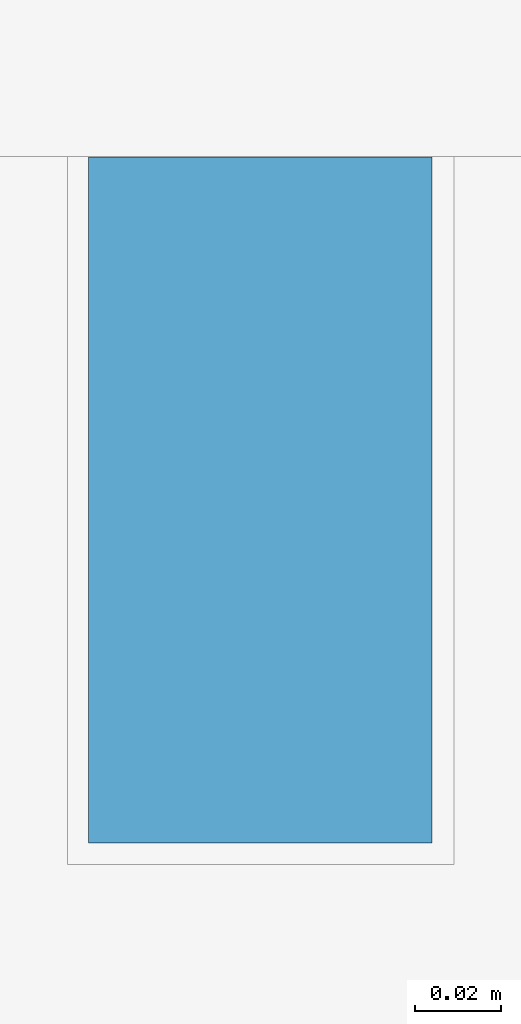
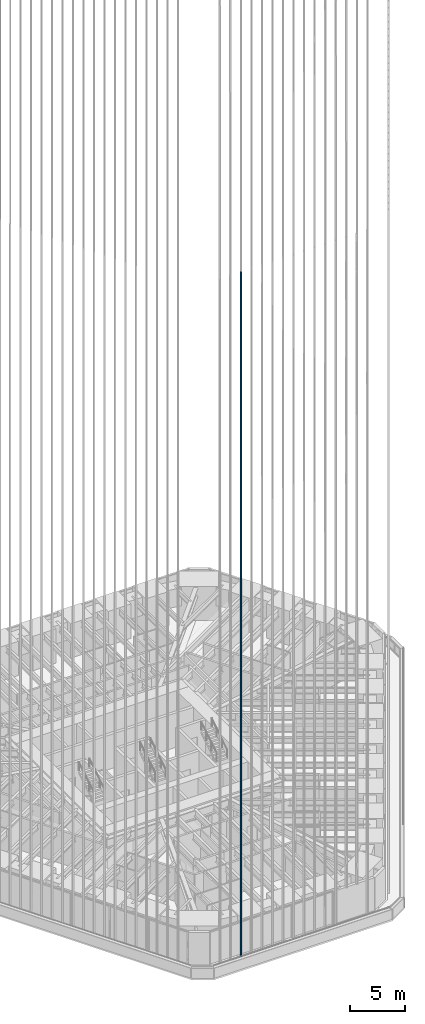
# One storey, part 20 of 238: 1 member, 1 element without a shape of its own.
"""IFC4 building model written with IfcOpenShell, lengths in metres."""

from ifc_helpers import new_model, si_unit, direction, frame, origin, origin_2d, place, context, subcontext, project, spatial, rectangle, extrude, material, material_profile, profile_set, type_object, element, aggregate, save


model = new_model("IFC4")

# Units and contexts
model_context = context("Model", 3, precision=1e-05, world=origin(), true_north=direction((0.0, 1.0)))
body_context = subcontext(model_context, "Body", "Model", "MODEL_VIEW")
ifc_project = project(units=[si_unit("LENGTHUNIT", "METRE"), si_unit("AREAUNIT", "SQUARE_METRE"), si_unit("VOLUMEUNIT", "CUBIC_METRE"), si_unit("PLANEANGLEUNIT", "RADIAN"), si_unit("MASSUNIT", "GRAM", prefix="KILO")], contexts=[model_context])

# Site, building, storey
site_placement = place(None, origin())
site = spatial("IfcSite", under=ifc_project, at=site_placement, CompositionType="ELEMENT")
building_placement = place(site_placement, origin())
building = spatial("IfcBuilding", under=site, at=building_placement, Name="Sandreach Pilgrim Tower", CompositionType="ELEMENT")
storey_placement = place(building_placement, frame((0.0, 0.0, 96.800048828125)))
storey = spatial("IfcBuildingStorey", under=building, at=storey_placement, Name="L23", CompositionType="ELEMENT", Elevation=96.800048828125)

# Curtain wall, member
ifc_material_1 = material(Name="Aluminium framed curtain wall", Category="aluminium")
curtain_wall_type = type_object("IfcCurtainWallType", Name="Hotel tower curtain wall", PredefinedType="NOTDEFINED", material=ifc_material_1)
curtain_wall_placement = place(storey_placement, origin())
curtain_wall = element("IfcCurtainWall", 1, at=curtain_wall_placement, inside=storey, type_object=curtain_wall_type, Name="CW-2 L23 SA", PredefinedType="NOTDEFINED")
ifc_material_2 = material(Name="Extruded terracotta on aluminium core", Category="masonry")
ifc_material_profile = material_profile(ifc_material_2, rectangle(XDim=0.080078125, YDim=0.159912109375, at=origin_2d()), Name="TBS 80X160")
ifc_profile_set = profile_set([ifc_material_profile], Name="Extruded terracotta on aluminium core")
member_type = type_object("IfcMemberType", Name="Terracotta baguette south", PredefinedType="USERDEFINED", material=ifc_profile_set)
member_placement = place(storey_placement, frame((-5.519287109375, -28.572265625, 0.0), z_axis=(0.0, 0.0, 1.0), x_axis=(-1.0, 0.0, 0.0)))
member = element("IfcMember", 2, at=member_placement, type_object=member_type, Name="Baguette Z2 S13", ObjectType="BAGUETTE", PredefinedType="USERDEFINED", context=body_context, shape_type="SweptSolid", body=[
    extrude(rectangle(XDim=0.080078125, YDim=0.159912109375, at=origin_2d()), origin(), (0.0, 0.0, 1.0), 75.83984375),
])
aggregate(curtain_wall, [member])

save(model, "model.ifc")
